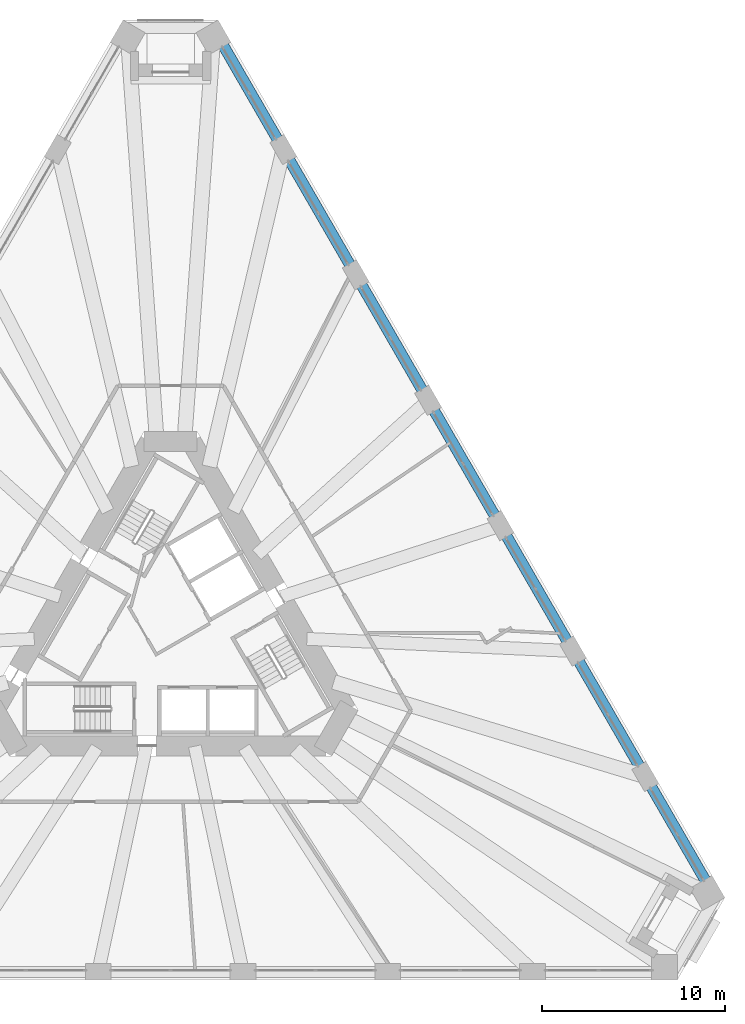
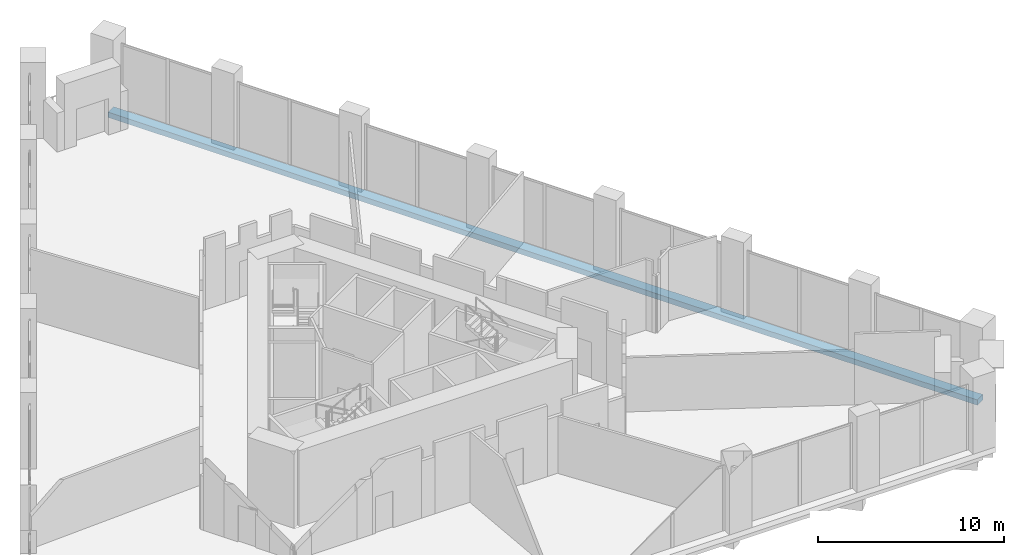
# One storey, part 9 of 20: 1 beam.
"""IFC4 building model written with IfcOpenShell, lengths in metres."""

import ifcopenshell
import ifcopenshell.guid

model = None  # the IFC model being written
_history = None  # IfcOwnerHistory: only IFC2X3 demands one
_inside = {}  # id of a spatial element -> (the spatial element, [elements in it])
_under = {}  # id of a project, library or spatial element -> (it, [spatial elements below it])
_declared = {}  # id of a project -> (the project, [libraries it declares])
_typed = {}  # id of a type object -> (the type object, [elements of that type])
_made_of = {}  # id of a material, layer set ... -> (it, [elements and type objects made of it])


def new_model(schema):
    """Start an empty IFC model of exactly this schema.

    Asked for "IFC4X3", IfcOpenShell would pick the latest addendum, in which some entities
    have other attributes; the version numbers below select the first issue.
    IFC2X3 requires an IfcOwnerHistory on every rooted entity: one is made here for all.
    """
    global model, _history
    if schema == "IFC4X3":
        model = ifcopenshell.file(schema_version=(4, 3, 0, 0))
    else:
        model = ifcopenshell.file(schema=schema)
    _inside.clear()
    _under.clear()
    _declared.clear()
    _typed.clear()
    _made_of.clear()
    _history = None
    if model.schema == "IFC2X3":
        org = make("IfcOrganization", Name="unknown")
        user = make(
            "IfcPersonAndOrganization",
            ThePerson=make("IfcPerson", FamilyName="unknown"),
            TheOrganization=org,
        )
        app = make(
            "IfcApplication",
            ApplicationDeveloper=org,
            Version="unknown",
            ApplicationFullName="unknown",
            ApplicationIdentifier="unknown",
        )
        _history = make(
            "IfcOwnerHistory",
            OwningUser=user,
            OwningApplication=app,
            ChangeAction="ADDED",
            CreationDate=0,
        )
    return model


def make(cls, **values):
    """One entity of the class cls with the attributes given. An attribute that is None is left unset."""
    return model.create_entity(
        cls, **{name: value for name, value in values.items() if value is not None}
    )


def rooted(cls, **values):
    """An entity with a GlobalId (a new one), such as an element, a storey or a relation."""
    return make(cls, GlobalId=ifcopenshell.guid.new(), OwnerHistory=_history, **values)


def si_unit(unit_type, name, prefix=None):
    """IfcSIUnit, for example si_unit("LENGTHUNIT", "METRE", prefix="MILLI")."""
    return make("IfcSIUnit", UnitType=unit_type, Prefix=prefix, Name=name)


def assignment(units):
    """IfcUnitAssignment: the units of a project."""
    return None if units is None else make("IfcUnitAssignment", Units=units)


def point(xyz):
    """IfcCartesianPoint."""
    return None if xyz is None else make("IfcCartesianPoint", Coordinates=xyz)


def direction(xyz):
    """IfcDirection."""
    return None if xyz is None else make("IfcDirection", DirectionRatios=xyz)


def frame(location, z_axis=None, x_axis=None):
    """IfcAxis2Placement3D, a coordinate frame: its origin and axes. An axis left out is left unset."""
    return make(
        "IfcAxis2Placement3D",
        Location=point(location),
        Axis=direction(z_axis),
        RefDirection=direction(x_axis),
    )


def frame_2d(location, x_axis=None):
    """IfcAxis2Placement2D, a coordinate frame in the plane: its origin and x axis."""
    return make(
        "IfcAxis2Placement2D", Location=point(location), RefDirection=direction(x_axis)
    )


def origin():
    """The frame at (0, 0, 0) with its axes left unset."""
    return frame((0.0, 0.0, 0.0))


def origin_2d():
    """The frame at (0, 0) in the plane with its x axis left unset."""
    return frame_2d((0.0, 0.0))


def place(relative_to, where):
    """IfcLocalPlacement: puts the frame where relative to a parent placement (None: the world)."""
    return make(
        "IfcLocalPlacement", PlacementRelTo=relative_to, RelativePlacement=where
    )


def context(
    kind, dimensions, precision=None, world=None, true_north=None, identifier=None
):
    """IfcGeometricRepresentationContext, for example the 3D "Model" context."""
    return make(
        "IfcGeometricRepresentationContext",
        ContextIdentifier=identifier,
        ContextType=kind,
        CoordinateSpaceDimension=dimensions,
        Precision=precision,
        WorldCoordinateSystem=world,
        TrueNorth=true_north,
    )


def subcontext(parent, identifier, kind, view, scale=None):
    """IfcGeometricRepresentationSubContext, for example "Body" below "Model"."""
    return make(
        "IfcGeometricRepresentationSubContext",
        ContextIdentifier=identifier,
        ContextType=kind,
        ParentContext=parent,
        TargetScale=scale,
        TargetView=view,
    )


def project(units=None, contexts=None):
    """IfcProject with its units and contexts."""
    return rooted(
        "IfcProject",
        Name="project",
        RepresentationContexts=contexts,
        UnitsInContext=assignment(units),
    )


def spatial(cls, under=None, at=None, **own):
    """A site, building, storey or space (cls), placed at a placement, below another one or the project."""
    s = rooted(cls, ObjectPlacement=at, **own)
    if under is not None:
        _under.setdefault(under.id(), (under, []))[1].append(s)
    return s


def profile(cls, at=None, kind="AREA", **sizes):
    """A parametric profile (cls). Its sizes go by their IFC names, for example OverallWidth=200.0."""
    return make(cls, ProfileType=kind, Position=at, **sizes)


def rectangle(**sizes):
    """IfcRectangleProfileDef."""
    return profile("IfcRectangleProfileDef", **sizes)


def extrude(swept, where, along, depth):
    """IfcExtrudedAreaSolid: the profile swept, set in the frame where, extruded along a direction by depth."""
    return make(
        "IfcExtrudedAreaSolid",
        SweptArea=swept,
        Position=where,
        ExtrudedDirection=direction(along),
        Depth=depth,
    )


def shape(context_of_items, identifier, shape_type, items):
    """IfcShapeRepresentation: the items that make up one representation, for example the "Body"."""
    return make(
        "IfcShapeRepresentation",
        ContextOfItems=context_of_items,
        RepresentationIdentifier=identifier,
        RepresentationType=shape_type,
        Items=items,
    )


def material(Name=None, Category=None):
    """IfcMaterial."""
    return make("IfcMaterial", Name=Name, Category=Category)


def material_profile(
    of_material, cross_section, Name=None, Category=None, Priority=None
):
    """IfcMaterialProfile: a cross section and its material."""
    return make(
        "IfcMaterialProfile",
        Name=Name,
        Material=of_material,
        Profile=cross_section,
        Priority=Priority,
        Category=Category,
    )


def profile_set(profiles, Name=None, composite=None):
    """IfcMaterialProfileSet."""
    return make(
        "IfcMaterialProfileSet",
        Name=Name,
        MaterialProfiles=profiles,
        CompositeProfile=composite,
    )


def made_of(thing, what):
    """Note that an element or type object is made of a material, layer set ...; save() writes the relation."""
    if what is not None:
        _made_of.setdefault(what.id(), (what, []))[1].append(thing)
    return thing


def type_object(cls, material=None, **own):
    """A type object (cls), such as IfcWallType, which elements share."""
    return made_of(rooted(cls, **own), material)


def element(
    cls,
    number,
    at=None,
    inside=None,
    cuts=None,
    type_object=None,
    material=None,
    context=None,
    identifier="Body",
    shape_type=None,
    held_by="IfcProductDefinitionShape",
    body=None,
    shapes=None,
    **own,
):
    """One element of the class cls, such as IfcWall. Its Tag is "e" and its number.

    at: its placement. inside: the storey or other place that contains it. cuts: it is an
    opening in that element (IfcRelVoidsElement). A single representation is given by context,
    identifier, shape_type and body (its items); several are given by shapes. held_by: the class
    of the entity that holds the representations. save() writes the other relations.
    """
    e = rooted(cls, Tag="e%d" % number, ObjectPlacement=at, **own)
    if body is not None:
        shapes = [shape(context, identifier, shape_type, body)]
    if shapes is not None:
        e.Representation = make(held_by, Representations=shapes)
    if inside is not None:
        _inside.setdefault(inside.id(), (inside, []))[1].append(e)
    if cuts is not None:
        rooted(
            "IfcRelVoidsElement", RelatingBuildingElement=cuts, RelatedOpeningElement=e
        )
    if type_object is not None:
        _typed.setdefault(type_object.id(), (type_object, []))[1].append(e)
    return made_of(e, material)


def aggregate(whole, parts):
    """IfcRelAggregates: a whole, such as a stair, and the parts it consists of."""
    return rooted("IfcRelAggregates", RelatingObject=whole, RelatedObjects=parts)


def save(model, path):
    """Write the relations noted so far, then the file.

    IfcRelAggregates (storeys below a building ...), IfcRelContainedInSpatialStructure (elements
    in a storey), IfcRelDefinesByType, IfcRelAssociatesMaterial and IfcRelDeclares: one each for
    every whole, place, type object, material and project.
    """
    for whole, parts in _under.values():
        aggregate(whole, parts)
    for where, things in _inside.values():
        rooted(
            "IfcRelContainedInSpatialStructure",
            RelatedElements=things,
            RelatingStructure=where,
        )
    for kind, things in _typed.values():
        rooted("IfcRelDefinesByType", RelatedObjects=things, RelatingType=kind)
    for what, things in _made_of.values():
        rooted("IfcRelAssociatesMaterial", RelatedObjects=things, RelatingMaterial=what)
    for by, libraries in _declared.values():
        rooted("IfcRelDeclares", RelatingContext=by, RelatedDefinitions=libraries)
    model.write(path)


model = new_model("IFC4")

# Units and contexts
model_context = context("Model", 3, precision=1e-05, world=origin(), true_north=direction((0.0, 1.0)))
body_context = subcontext(model_context, "Body", "Model", "MODEL_VIEW")
ifc_project = project(units=[si_unit("LENGTHUNIT", "METRE"), si_unit("AREAUNIT", "SQUARE_METRE"), si_unit("VOLUMEUNIT", "CUBIC_METRE"), si_unit("PLANEANGLEUNIT", "RADIAN"), si_unit("MASSUNIT", "GRAM", prefix="KILO")], contexts=[model_context])

# Site, building, storey
site_placement = place(None, origin())
site = spatial("IfcSite", under=ifc_project, at=site_placement, CompositionType="ELEMENT")
building_placement = place(site_placement, origin())
building = spatial("IfcBuilding", under=site, at=building_placement, Name="Tramontana Tower", CompositionType="ELEMENT")
storey_placement = place(building_placement, frame((0.0, 0.0, 15.0)))
storey = spatial("IfcBuildingStorey", under=building, at=storey_placement, Name="L02", CompositionType="ELEMENT", Elevation=15.0)

# Beam
ifc_material = material(Name="Concrete 40 MPa", Category="concrete")
ifc_material_profile = material_profile(ifc_material, rectangle(XDim=0.60009765625, YDim=0.35009765625, at=origin_2d()), Name="RC EDGE BEAM 600X350 40 MPa")
ifc_profile_set = profile_set([ifc_material_profile], Name="Concrete 40 MPa")
beam_type = type_object("IfcBeamType", Name="RC EDGE BEAM 600X350 40 MPa", PredefinedType="SPANDREL", material=ifc_profile_set)
beam_placement = place(storey_placement, frame((29.5712890625, -14.118896484375, -0.52490234375), z_axis=(-0.500001490283, 0.866024543367, 0.0), x_axis=(-0.866024543367, -0.500001490283, 0.0)))
element("IfcBeam", 1, at=beam_placement, inside=storey, type_object=beam_type, Name="Spandrel beam S2 L02", PredefinedType="SPANDREL", context=body_context, shape_type="SweptSolid", body=[
    extrude(rectangle(XDim=0.60009765625, YDim=0.35009765625, at=origin_2d()), origin(), (0.0, 0.0, 1.0), 54.025634765625),
])

save(model, "model.ifc")
